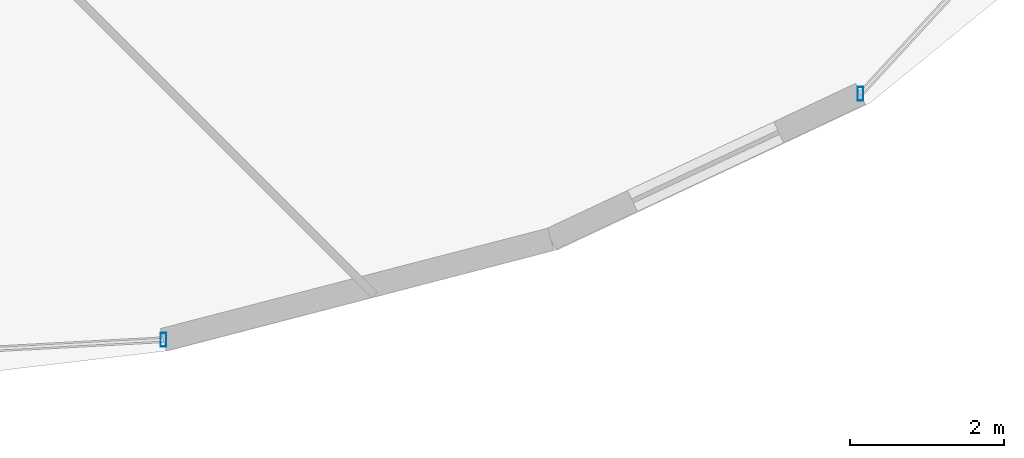
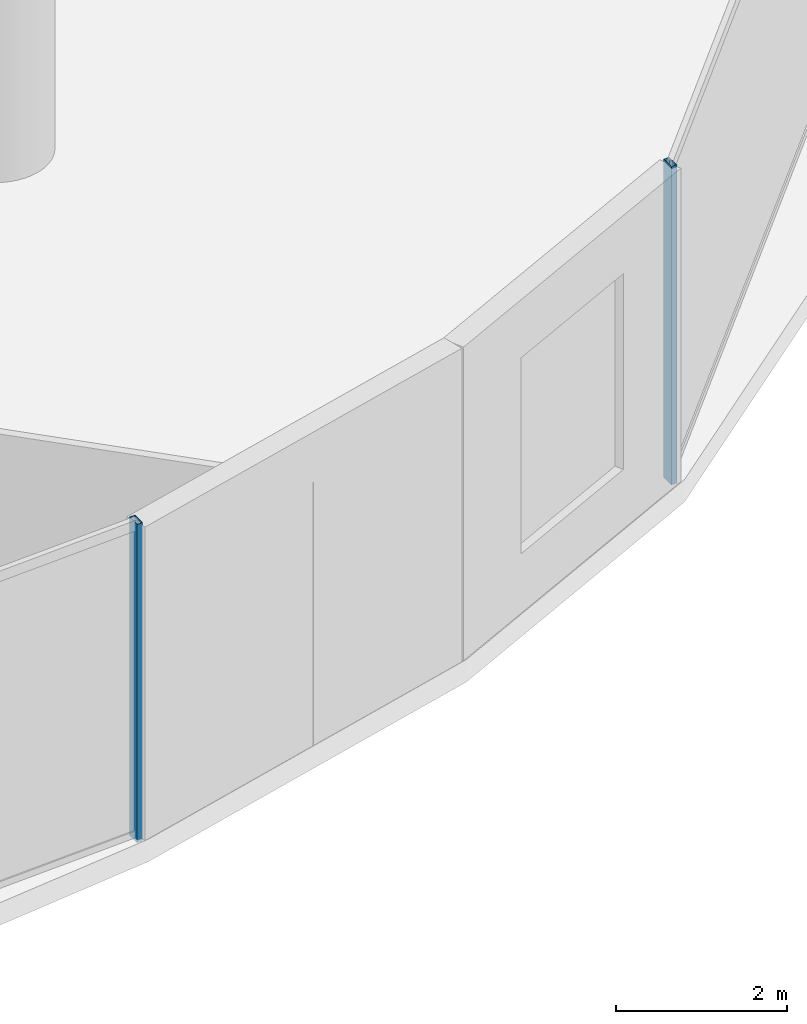
# One storey, part 11 of 30: 2 members, 2 elements without a shape of their own.
"""IFC4 building model written with IfcOpenShell, lengths in metres."""

from ifc_helpers import new_model, si_unit, direction, frame, origin, origin_2d, place, context, subcontext, project, spatial, hollow_rectangle, extrude, material, material_profile, profile_set, type_object, element, aggregate, save


model = new_model("IFC4")

# Units and contexts
model_context = context("Model", 3, precision=1e-05, world=origin(), true_north=direction((0.0, 1.0)))
body_context = subcontext(model_context, "Body", "Model", "MODEL_VIEW")
ifc_project = project(units=[si_unit("LENGTHUNIT", "METRE"), si_unit("AREAUNIT", "SQUARE_METRE"), si_unit("VOLUMEUNIT", "CUBIC_METRE"), si_unit("PLANEANGLEUNIT", "RADIAN"), si_unit("MASSUNIT", "GRAM", prefix="KILO")], contexts=[model_context])

# Site, building, storey
site_placement = place(None, origin())
site = spatial("IfcSite", under=ifc_project, at=site_placement, CompositionType="ELEMENT")
building_placement = place(site_placement, origin())
building = spatial("IfcBuilding", under=site, at=building_placement, Name="Vorneva Point Tower", CompositionType="ELEMENT")
storey_placement = place(building_placement, frame((0.0, 0.0, 9.60009765625)))
storey = spatial("IfcBuildingStorey", under=building, at=storey_placement, Name="L02", CompositionType="ELEMENT", Elevation=9.60009765625)

# Curtain wall, member
ifc_material = material(Name="Pale anodised aluminium", Category="aluminium")
curtain_wall_type = type_object("IfcCurtainWallType", Name="CW-POD-SYS", PredefinedType="NOTDEFINED", material=ifc_material)
curtain_wall_1_placement = place(storey_placement, origin())
curtain_wall_1 = element("IfcCurtainWall", 1, at=curtain_wall_1_placement, inside=storey, type_object=curtain_wall_type, Name="L02 Unitised Curtain Wall CW-L02-R01", PredefinedType="NOTDEFINED")
ifc_material_profile = material_profile(ifc_material, hollow_rectangle(XDim=0.074951171875, YDim=0.179931640625, WallThickness=0.00390625, at=origin_2d()), Name="AL-MUL 180x75x4")
ifc_profile_set = profile_set([ifc_material_profile], Name="Pale anodised aluminium")
member_type = type_object("IfcMemberType", Name="CW-MUL-180", PredefinedType="MULLION", material=ifc_profile_set)
member_1_placement = place(storey_placement, frame((65.8212890625, 7.116943359375, -0.0400390625), z_axis=(0.0, 0.0, 1.0), x_axis=(1.0, 0.0, 0.0)))
member_1 = element("IfcMember", 2, at=member_1_placement, type_object=member_type, Name="CW-L02-R01 Mullion 01", PredefinedType="MULLION", context=body_context, shape_type="SweptSolid", body=[
    extrude(hollow_rectangle(XDim=0.074951171875, YDim=0.179931640625, WallThickness=0.00390625, at=origin_2d()), origin(), (0.0, 0.0, 1.0), 4.550048828125),
])
aggregate(curtain_wall_1, [member_1])

curtain_wall_2_placement = place(storey_placement, origin())
curtain_wall_2 = element("IfcCurtainWall", 3, at=curtain_wall_2_placement, inside=storey, type_object=curtain_wall_type, Name="L02 Unitised Curtain Wall CW-L02-R04", PredefinedType="NOTDEFINED")
member_2_placement = place(storey_placement, frame((56.75390625, 3.9189453125, -0.0400390625), z_axis=(0.0, 0.0, 1.0), x_axis=(1.0, 0.0, 0.0)))
member_2 = element("IfcMember", 4, at=member_2_placement, type_object=member_type, Name="CW-L02-R04 Mullion 02", PredefinedType="MULLION", context=body_context, shape_type="SweptSolid", body=[
    extrude(hollow_rectangle(XDim=0.074951171875, YDim=0.179931640625, WallThickness=0.00390625, at=origin_2d()), origin(), (0.0, 0.0, 1.0), 4.550048828125),
])
aggregate(curtain_wall_2, [member_2])

save(model, "model.ifc")
